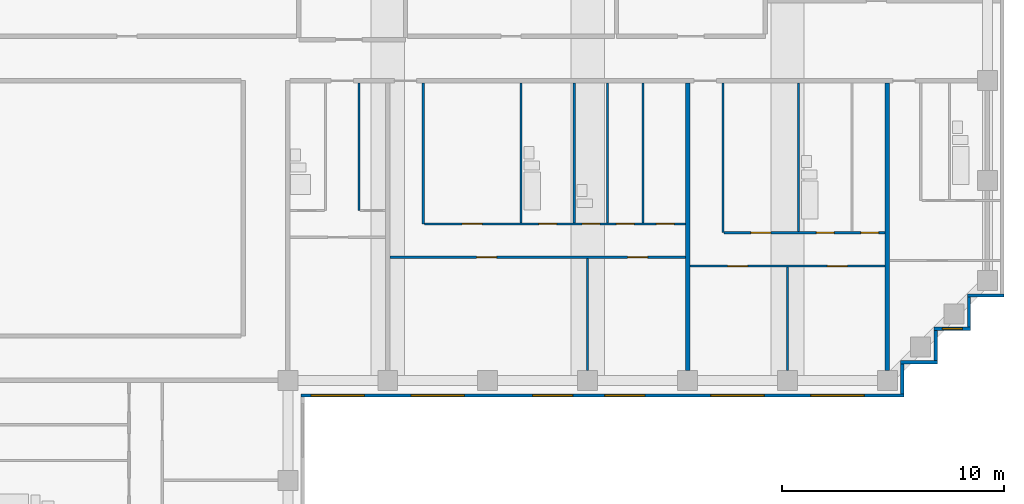
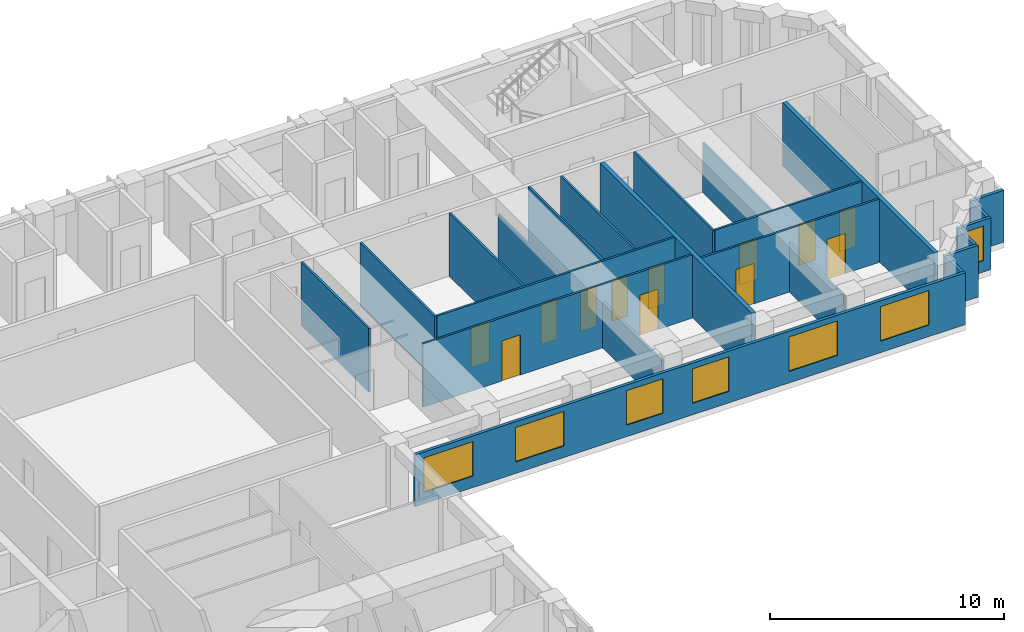
# One storey, part 4 of 9: 23 walls, 12 doors, 7 windows, 19 openings.
"""IFC4 building model written with IfcOpenShell, lengths in metres."""

from ifc_helpers import new_model, si_unit, direction, frame, frame_2d, origin, place, context, subcontext, project, spatial, rectangle, extrude, material, layer, layer_set, type_object, element, fill, save


model = new_model("IFC4")

# Units and contexts
model_context = context("Model", 3, precision=1e-05, world=origin(), true_north=direction((0.0, 1.0)))
body_context = subcontext(model_context, "Body", "Model", "MODEL_VIEW")
ifc_project = project(units=[si_unit("LENGTHUNIT", "METRE"), si_unit("AREAUNIT", "SQUARE_METRE"), si_unit("VOLUMEUNIT", "CUBIC_METRE"), si_unit("PLANEANGLEUNIT", "RADIAN"), si_unit("MASSUNIT", "GRAM", prefix="KILO")], contexts=[model_context])

# Site, building, storey
site_placement = place(None, origin())
site = spatial("IfcSite", under=ifc_project, at=site_placement, CompositionType="ELEMENT")
building_placement = place(site_placement, origin())
building = spatial("IfcBuilding", under=site, at=building_placement, Name="Firuza Court", CompositionType="ELEMENT")
storey_placement = place(building_placement, frame((0.0, 0.0, 215.0)))
storey = spatial("IfcBuildingStorey", under=building, at=storey_placement, Name="L55", CompositionType="ELEMENT", Elevation=215.0)

# Walls
ifc_material_1 = material(Name="Moisture-resistant gypsum board partition")
ifc_layer_1 = layer(ifc_material_1, 0.10009765625)
ifc_layer_set_1 = layer_set([ifc_layer_1], Name="Moisture-resistant gypsum board partition")
wall_type_1 = type_object("IfcWallType", Name="Bathroom partition 100", PredefinedType="PLUMBINGWALL", material=ifc_layer_set_1)
wall_1_placement = place(storey_placement, frame((45.5, 42.699951171875, 0.0), z_axis=(0.0, 0.0, 1.0), x_axis=(0.0, 1.0, 0.0)))
element("IfcWall", 1, at=wall_1_placement, inside=storey, type_object=wall_type_1, Name="Bathroom partition 100 L55", PredefinedType="PLUMBINGWALL", context=body_context, shape_type="SweptSolid", body=[
    extrude(rectangle(XDim=6.699951171875, YDim=0.10009765625, at=frame_2d((3.35009765625, 0.0))), origin(), (0.0, 0.0, 1.0), 2.60009765625),
])
wall_2_placement = place(storey_placement, frame((33.0, 43.10009765625, 0.0), z_axis=(0.0, 0.0, 1.0), x_axis=(0.0, 1.0, 0.0)))
element("IfcWall", 2, at=wall_2_placement, inside=storey, type_object=wall_type_1, Name="Bathroom partition 100 L55", PredefinedType="PLUMBINGWALL", context=body_context, shape_type="SweptSolid", body=[
    extrude(rectangle(XDim=6.2998046875, YDim=0.10009765625, at=frame_2d((3.14990234375, 0.0))), origin(), (0.0, 0.0, 1.0), 3.300048828125),
])
wall_3_placement = place(storey_placement, frame((35.39990234375, 43.10009765625, 0.0), z_axis=(0.0, 0.0, 1.0), x_axis=(0.0, 1.0, 0.0)))
element("IfcWall", 3, at=wall_3_placement, inside=storey, type_object=wall_type_1, Name="Bathroom partition 100 L55", PredefinedType="PLUMBINGWALL", context=body_context, shape_type="SweptSolid", body=[
    extrude(rectangle(XDim=6.2998046875, YDim=0.10009765625, at=frame_2d((3.14990234375, 0.0))), origin(), (0.0, 0.0, 1.0), 2.39990234375),
])
wall_4_placement = place(storey_placement, frame((36.89990234375, 43.10009765625, 0.0), z_axis=(0.0, 0.0, 1.0), x_axis=(0.0, 1.0, 0.0)))
element("IfcWall", 4, at=wall_4_placement, inside=storey, type_object=wall_type_1, Name="Bathroom partition 100 L55", PredefinedType="PLUMBINGWALL", context=body_context, shape_type="SweptSolid", body=[
    extrude(rectangle(XDim=6.2998046875, YDim=0.10009765625, at=frame_2d((3.14990234375, 0.0))), origin(), (0.0, 0.0, 1.0), 3.300048828125),
])
ifc_material_2 = material(Name="Timber stud partition, plasterboard both sides", Category="wood")
ifc_layer_2 = layer(ifc_material_2, 0.10009765625)
ifc_layer_set_2 = layer_set([ifc_layer_2], Name="Timber stud partition, plasterboard both sides")
wall_type_2 = type_object("IfcWallType", Name="Partition wall 100", PredefinedType="PARTITIONING", material=ifc_layer_set_2)
wall_5_placement = place(storey_placement, frame((36.0, 36.449951171875, 0.0), z_axis=(0.0, 0.0, 1.0), x_axis=(0.0, 1.0, 0.0)))
element("IfcWall", 5, at=wall_5_placement, inside=storey, type_object=wall_type_2, Name="Partition wall 100 L55", PredefinedType="PARTITIONING", context=body_context, shape_type="SweptSolid", body=[
    extrude(rectangle(XDim=5.050048828125, YDim=0.10009765625, at=frame_2d((2.52490234375, 0.0))), origin(), (0.0, 0.0, 1.0), 2.39990234375),
])
wall_6_placement = place(storey_placement, frame((45.0, 36.449951171875, 0.0), z_axis=(0.0, 0.0, 1.0), x_axis=(0.0, 1.0, 0.0)))
element("IfcWall", 6, at=wall_6_placement, inside=storey, type_object=wall_type_2, Name="Partition wall 100 L55", PredefinedType="PARTITIONING", context=body_context, shape_type="SweptSolid", body=[
    extrude(rectangle(XDim=4.650146484375, YDim=0.10009765625, at=frame_2d((2.3251953125, 0.0))), origin(), (0.0, 0.0, 1.0), 2.60009765625),
])

# Wall, openings, doors
wall_7_placement = place(storey_placement, frame((40.60009765625, 41.14990234375, 0.0), z_axis=(0.0, 0.0, 1.0), x_axis=(1.0, 0.0, 0.0)))
wall_7 = element("IfcWall", 7, at=wall_7_placement, inside=storey, type_object=wall_type_2, Name="Partition wall 100 L55", PredefinedType="PARTITIONING", context=body_context, shape_type="SweptSolid", body=[
    extrude(rectangle(XDim=8.7998046875, YDim=0.10009765625, at=frame_2d((4.39990234375, 0.0))), origin(), (0.0, 0.0, 1.0), 3.300048828125),
])
opening_1_placement = place(wall_7_placement, frame((1.699951171875, 0.0, 0.0)))
opening_1 = element("IfcOpeningElement", 8, at=opening_1_placement, cuts=wall_7, Name="Opening D55027", PredefinedType="OPENING", context=body_context, shape_type="SweptSolid", body=[
    extrude(rectangle(XDim=0.89990234375, YDim=2.10009765625, at=frame_2d((0.449951171875, 1.050048828125))), frame((0.0, 0.06201171875, 0.0), z_axis=(0.0, -1.0, 0.0), x_axis=(1.0, 0.0, 0.0)), (0.0, 0.0, 1.0), 0.1240234375),
])
opening_2_placement = place(wall_7_placement, frame((6.199951171875, 0.0, 0.0)))
opening_2 = element("IfcOpeningElement", 9, at=opening_2_placement, cuts=wall_7, Name="Opening D55028", PredefinedType="OPENING", context=body_context, shape_type="SweptSolid", body=[
    extrude(rectangle(XDim=0.89990234375, YDim=2.10009765625, at=frame_2d((0.449951171875, 1.050048828125))), frame((0.0, 0.06201171875, 0.0), z_axis=(0.0, -1.0, 0.0), x_axis=(1.0, 0.0, 0.0)), (0.0, 0.0, 1.0), 0.1240234375),
])
ifc_material_3 = material(Name="Timber door leaf in hardwood frame", Category="wood")
door_type_1 = type_object("IfcDoorType", Name="Room door 900", OperationType="SINGLE_SWING_LEFT", PredefinedType="DOOR", material=ifc_material_3)
door_1_placement = place(opening_1_placement, frame((0.89990234375, 0.0, 0.0), z_axis=(0.0, 0.0, 1.0), x_axis=(-1.0, 0.0, 0.0)))
door_1 = element("IfcDoor", 10, at=door_1_placement, inside=storey, type_object=door_type_1, Name="Living room door", OperationType="SINGLE_SWING_RIGHT", OverallHeight=2.10009765625, OverallWidth=0.89990234375, PredefinedType="DOOR", context=body_context, shape_type="SweptSolid", body=[
    extrude(rectangle(XDim=0.89990234375, YDim=2.10009765625, at=frame_2d((0.449951171875, 1.050048828125))), frame((0.0, 0.02490234375, 0.0), z_axis=(0.0, -1.0, 0.0), x_axis=(1.0, 0.0, 0.0)), (0.0, 0.0, 1.0), 0.050048828125),
])
fill(opening_1, door_1)
door_2_placement = place(opening_2_placement, frame((0.89990234375, 0.0, 0.0), z_axis=(0.0, 0.0, 1.0), x_axis=(-1.0, 0.0, 0.0)))
door_2 = element("IfcDoor", 11, at=door_2_placement, inside=storey, type_object=door_type_1, Name="Bedroom door", OperationType="SINGLE_SWING_RIGHT", OverallHeight=2.10009765625, OverallWidth=0.89990234375, PredefinedType="DOOR", context=body_context, shape_type="SweptSolid", body=[
    extrude(rectangle(XDim=0.89990234375, YDim=2.10009765625, at=frame_2d((0.449951171875, 1.050048828125))), frame((0.0, 0.02490234375, 0.0), z_axis=(0.0, -1.0, 0.0), x_axis=(1.0, 0.0, 0.0)), (0.0, 0.0, 1.0), 0.050048828125),
])
fill(opening_2, door_2)

wall_8_placement = place(storey_placement, frame((27.10009765625, 41.550048828125, 0.0), z_axis=(0.0, 0.0, 1.0), x_axis=(1.0, 0.0, 0.0)))
wall_8 = element("IfcWall", 12, at=wall_8_placement, inside=storey, type_object=wall_type_2, Name="Partition wall 100 L55", PredefinedType="PARTITIONING", context=body_context, shape_type="SweptSolid", body=[
    extrude(rectangle(XDim=13.2998046875, YDim=0.10009765625, at=frame_2d((6.64990234375, 0.0))), origin(), (0.0, 0.0, 1.0), 3.300048828125),
])
opening_3_placement = place(wall_8_placement, frame((3.89990234375, 0.0, 0.0)))
opening_3 = element("IfcOpeningElement", 13, at=opening_3_placement, cuts=wall_8, Name="Opening D55030", PredefinedType="OPENING", context=body_context, shape_type="SweptSolid", body=[
    extrude(rectangle(XDim=0.89990234375, YDim=2.10009765625, at=frame_2d((0.449951171875, 1.050048828125))), frame((0.0, 0.06201171875, 0.0), z_axis=(0.0, -1.0, 0.0), x_axis=(1.0, 0.0, 0.0)), (0.0, 0.0, 1.0), 0.1240234375),
])
opening_4_placement = place(wall_8_placement, frame((10.699951171875, 0.0, 0.0)))
opening_4 = element("IfcOpeningElement", 14, at=opening_4_placement, cuts=wall_8, Name="Opening D55031", PredefinedType="OPENING", context=body_context, shape_type="SweptSolid", body=[
    extrude(rectangle(XDim=0.89990234375, YDim=2.10009765625, at=frame_2d((0.449951171875, 1.050048828125))), frame((0.0, 0.06201171875, 0.0), z_axis=(0.0, -1.0, 0.0), x_axis=(1.0, 0.0, 0.0)), (0.0, 0.0, 1.0), 0.1240234375),
])
door_3_placement = place(opening_3_placement, frame((0.89990234375, 0.0, 0.0), z_axis=(0.0, 0.0, 1.0), x_axis=(-1.0, 0.0, 0.0)))
door_3 = element("IfcDoor", 15, at=door_3_placement, inside=storey, type_object=door_type_1, Name="Living room door", OperationType="SINGLE_SWING_RIGHT", OverallHeight=2.10009765625, OverallWidth=0.89990234375, PredefinedType="DOOR", context=body_context, shape_type="SweptSolid", body=[
    extrude(rectangle(XDim=0.89990234375, YDim=2.10009765625, at=frame_2d((0.449951171875, 1.050048828125))), frame((0.0, 0.02490234375, 0.0), z_axis=(0.0, -1.0, 0.0), x_axis=(1.0, 0.0, 0.0)), (0.0, 0.0, 1.0), 0.050048828125),
])
fill(opening_3, door_3)
door_4_placement = place(opening_4_placement, frame((0.89990234375, 0.0, 0.0), z_axis=(0.0, 0.0, 1.0), x_axis=(-1.0, 0.0, 0.0)))
door_4 = element("IfcDoor", 16, at=door_4_placement, inside=storey, type_object=door_type_1, Name="Bedroom door", OperationType="SINGLE_SWING_RIGHT", OverallHeight=2.10009765625, OverallWidth=0.89990234375, PredefinedType="DOOR", context=body_context, shape_type="SweptSolid", body=[
    extrude(rectangle(XDim=0.89990234375, YDim=2.10009765625, at=frame_2d((0.449951171875, 1.050048828125))), frame((0.0, 0.02490234375, 0.0), z_axis=(0.0, -1.0, 0.0), x_axis=(1.0, 0.0, 0.0)), (0.0, 0.0, 1.0), 0.050048828125),
])
fill(opening_4, door_4)

# Wall
wall_9_placement = place(storey_placement, frame((42.10009765625, 42.64990234375, 0.0), z_axis=(0.0, 0.0, 1.0), x_axis=(0.0, 1.0, 0.0)))
element("IfcWall", 17, at=wall_9_placement, inside=storey, type_object=wall_type_2, Name="Partition wall 100 L55", PredefinedType="PARTITIONING", context=body_context, shape_type="SweptSolid", body=[
    extrude(rectangle(XDim=6.75, YDim=0.10009765625, at=frame_2d((3.375, 0.0))), origin(), (0.0, 0.0, 1.0), 3.300048828125),
])

# Wall, openings, doors
wall_10_placement = place(storey_placement, frame((42.14990234375, 42.64990234375, 0.0), z_axis=(0.0, 0.0, 1.0), x_axis=(1.0, 0.0, 0.0)))
wall_10 = element("IfcWall", 18, at=wall_10_placement, inside=storey, type_object=wall_type_2, Name="Partition wall 100 L55", PredefinedType="PARTITIONING", context=body_context, shape_type="SweptSolid", body=[
    extrude(rectangle(XDim=7.25, YDim=0.10009765625, at=frame_2d((3.625, 0.0))), origin(), (0.0, 0.0, 1.0), 3.300048828125),
])
opening_5_placement = place(wall_10_placement, frame((4.14990234375, 0.0, 0.0)))
opening_5 = element("IfcOpeningElement", 19, at=opening_5_placement, cuts=wall_10, Name="Opening D55033", PredefinedType="OPENING", context=body_context, shape_type="SweptSolid", body=[
    extrude(rectangle(XDim=0.800048828125, YDim=2.10009765625, at=frame_2d((0.39990234375, 1.050048828125))), frame((0.0, 0.06201171875, 0.0), z_axis=(0.0, -1.0, 0.0), x_axis=(1.0, 0.0, 0.0)), (0.0, 0.0, 1.0), 0.1240234375),
])
opening_6_placement = place(wall_10_placement, frame((1.199951171875, 0.0, 0.0)))
opening_6 = element("IfcOpeningElement", 20, at=opening_6_placement, cuts=wall_10, Name="Opening D55034", PredefinedType="OPENING", context=body_context, shape_type="SweptSolid", body=[
    extrude(rectangle(XDim=0.89990234375, YDim=2.10009765625, at=frame_2d((0.449951171875, 1.050048828125))), frame((0.0, 0.06201171875, 0.0), z_axis=(0.0, -1.0, 0.0), x_axis=(1.0, 0.0, 0.0)), (0.0, 0.0, 1.0), 0.1240234375),
])
opening_7_placement = place(wall_10_placement, frame((6.14990234375, 0.0, 0.0)))
opening_7 = element("IfcOpeningElement", 21, at=opening_7_placement, cuts=wall_10, Name="Opening D55035", PredefinedType="OPENING", context=body_context, shape_type="SweptSolid", body=[
    extrude(rectangle(XDim=0.800048828125, YDim=2.10009765625, at=frame_2d((0.39990234375, 1.050048828125))), frame((0.0, 0.06201171875, 0.0), z_axis=(0.0, -1.0, 0.0), x_axis=(1.0, 0.0, 0.0)), (0.0, 0.0, 1.0), 0.1240234375),
])
ifc_material_4 = material(Name="Timber door leaf in hardwood frame", Category="wood")
door_type_2 = type_object("IfcDoorType", Name="Bathroom door 800", OperationType="SINGLE_SWING_LEFT", PredefinedType="DOOR", material=ifc_material_4)
door_5_placement = place(opening_5_placement, origin())
door_5 = element("IfcDoor", 22, at=door_5_placement, inside=storey, type_object=door_type_2, Name="Bathroom door", OperationType="SINGLE_SWING_LEFT", OverallHeight=2.10009765625, OverallWidth=0.800048828125, PredefinedType="DOOR", context=body_context, shape_type="SweptSolid", body=[
    extrude(rectangle(XDim=0.800048828125, YDim=2.10009765625, at=frame_2d((0.39990234375, 1.050048828125))), frame((0.0, 0.02490234375, 0.0), z_axis=(0.0, -1.0, 0.0), x_axis=(1.0, 0.0, 0.0)), (0.0, 0.0, 1.0), 0.050048828125),
])
fill(opening_5, door_5)
ifc_material_5 = material(Name="Timber door leaf in hardwood frame", Category="wood")
door_type_3 = type_object("IfcDoorType", Name="Room door 800", OperationType="SINGLE_SWING_LEFT", PredefinedType="DOOR", material=ifc_material_5)
door_6_placement = place(opening_7_placement, origin())
door_6 = element("IfcDoor", 23, at=door_6_placement, inside=storey, type_object=door_type_3, Name="Store door", OperationType="SINGLE_SWING_LEFT", OverallHeight=2.10009765625, OverallWidth=0.800048828125, PredefinedType="DOOR", context=body_context, shape_type="SweptSolid", body=[
    extrude(rectangle(XDim=0.800048828125, YDim=2.10009765625, at=frame_2d((0.39990234375, 1.050048828125))), frame((0.0, 0.02490234375, 0.0), z_axis=(0.0, -1.0, 0.0), x_axis=(1.0, 0.0, 0.0)), (0.0, 0.0, 1.0), 0.050048828125),
])
fill(opening_7, door_6)
door_7_placement = place(opening_6_placement, origin())
door_7 = element("IfcDoor", 24, at=door_7_placement, inside=storey, type_object=door_type_1, Name="Kitchen door", OperationType="SINGLE_SWING_LEFT", OverallHeight=2.10009765625, OverallWidth=0.89990234375, PredefinedType="DOOR", context=body_context, shape_type="SweptSolid", body=[
    extrude(rectangle(XDim=0.89990234375, YDim=2.10009765625, at=frame_2d((0.449951171875, 1.050048828125))), frame((0.0, 0.02490234375, 0.0), z_axis=(0.0, -1.0, 0.0), x_axis=(1.0, 0.0, 0.0)), (0.0, 0.0, 1.0), 0.050048828125),
])
fill(opening_6, door_7)

# Wall
wall_11_placement = place(storey_placement, frame((28.60009765625, 43.050048828125, 0.0), z_axis=(0.0, 0.0, 1.0), x_axis=(0.0, 1.0, 0.0)))
element("IfcWall", 25, at=wall_11_placement, inside=storey, type_object=wall_type_2, Name="Partition wall 100 L55", PredefinedType="PARTITIONING", context=body_context, shape_type="SweptSolid", body=[
    extrude(rectangle(XDim=6.349853515625, YDim=0.10009765625, at=frame_2d((3.1748046875, 0.0))), origin(), (0.0, 0.0, 1.0), 3.300048828125),
])

# Wall, openings, doors
wall_12_placement = place(storey_placement, frame((28.64990234375, 43.050048828125, 0.0), z_axis=(0.0, 0.0, 1.0), x_axis=(1.0, 0.0, 0.0)))
wall_12 = element("IfcWall", 26, at=wall_12_placement, inside=storey, type_object=wall_type_2, Name="Partition wall 100 L55", PredefinedType="PARTITIONING", context=body_context, shape_type="SweptSolid", body=[
    extrude(rectangle(XDim=11.75, YDim=0.10009765625, at=frame_2d((5.875, 0.0))), origin(), (0.0, 0.0, 1.0), 3.300048828125),
])
opening_8_placement = place(wall_12_placement, frame((5.14990234375, 0.0, 0.0)))
opening_8 = element("IfcOpeningElement", 27, at=opening_8_placement, cuts=wall_12, Name="Opening D55036", PredefinedType="OPENING", context=body_context, shape_type="SweptSolid", body=[
    extrude(rectangle(XDim=0.800048828125, YDim=2.10009765625, at=frame_2d((0.39990234375, 1.050048828125))), frame((0.0, 0.06201171875, 0.0), z_axis=(0.0, -1.0, 0.0), x_axis=(1.0, 0.0, 0.0)), (0.0, 0.0, 1.0), 0.1240234375),
])
opening_9_placement = place(wall_12_placement, frame((1.699951171875, 0.0, 0.0)))
opening_9 = element("IfcOpeningElement", 28, at=opening_9_placement, cuts=wall_12, Name="Opening D55037", PredefinedType="OPENING", context=body_context, shape_type="SweptSolid", body=[
    extrude(rectangle(XDim=0.89990234375, YDim=2.10009765625, at=frame_2d((0.449951171875, 1.050048828125))), frame((0.0, 0.06201171875, 0.0), z_axis=(0.0, -1.0, 0.0), x_axis=(1.0, 0.0, 0.0)), (0.0, 0.0, 1.0), 0.1240234375),
])
opening_10_placement = place(wall_12_placement, frame((8.64990234375, 0.0, 0.0)))
opening_10 = element("IfcOpeningElement", 29, at=opening_10_placement, cuts=wall_12, Name="Opening D55038", PredefinedType="OPENING", context=body_context, shape_type="SweptSolid", body=[
    extrude(rectangle(XDim=0.800048828125, YDim=2.10009765625, at=frame_2d((0.39990234375, 1.050048828125))), frame((0.0, 0.06201171875, 0.0), z_axis=(0.0, -1.0, 0.0), x_axis=(1.0, 0.0, 0.0)), (0.0, 0.0, 1.0), 0.1240234375),
])
opening_11_placement = place(wall_12_placement, frame((10.449951171875, 0.0, 0.0)))
opening_11 = element("IfcOpeningElement", 30, at=opening_11_placement, cuts=wall_12, Name="Opening D55039", PredefinedType="OPENING", context=body_context, shape_type="SweptSolid", body=[
    extrude(rectangle(XDim=0.800048828125, YDim=2.10009765625, at=frame_2d((0.39990234375, 1.050048828125))), frame((0.0, 0.06201171875, 0.0), z_axis=(0.0, -1.0, 0.0), x_axis=(1.0, 0.0, 0.0)), (0.0, 0.0, 1.0), 0.1240234375),
])
opening_12_placement = place(wall_12_placement, frame((7.10009765625, 0.0, 0.0)))
opening_12 = element("IfcOpeningElement", 31, at=opening_12_placement, cuts=wall_12, Name="Opening D55040", PredefinedType="OPENING", context=body_context, shape_type="SweptSolid", body=[
    extrude(rectangle(XDim=0.800048828125, YDim=2.10009765625, at=frame_2d((0.39990234375, 1.050048828125))), frame((0.0, 0.06201171875, 0.0), z_axis=(0.0, -1.0, 0.0), x_axis=(1.0, 0.0, 0.0)), (0.0, 0.0, 1.0), 0.1240234375),
])
door_8_placement = place(opening_8_placement, origin())
door_8 = element("IfcDoor", 32, at=door_8_placement, inside=storey, type_object=door_type_2, Name="Bathroom door", OperationType="SINGLE_SWING_LEFT", OverallHeight=2.10009765625, OverallWidth=0.800048828125, PredefinedType="DOOR", context=body_context, shape_type="SweptSolid", body=[
    extrude(rectangle(XDim=0.800048828125, YDim=2.10009765625, at=frame_2d((0.39990234375, 1.050048828125))), frame((0.0, 0.02490234375, 0.0), z_axis=(0.0, -1.0, 0.0), x_axis=(1.0, 0.0, 0.0)), (0.0, 0.0, 1.0), 0.050048828125),
])
fill(opening_8, door_8)
door_9_placement = place(opening_12_placement, origin())
door_9 = element("IfcDoor", 33, at=door_9_placement, inside=storey, type_object=door_type_2, Name="Powder room door", OperationType="SINGLE_SWING_LEFT", OverallHeight=2.10009765625, OverallWidth=0.800048828125, PredefinedType="DOOR", context=body_context, shape_type="SweptSolid", body=[
    extrude(rectangle(XDim=0.800048828125, YDim=2.10009765625, at=frame_2d((0.39990234375, 1.050048828125))), frame((0.0, 0.02490234375, 0.0), z_axis=(0.0, -1.0, 0.0), x_axis=(1.0, 0.0, 0.0)), (0.0, 0.0, 1.0), 0.050048828125),
])
fill(opening_12, door_9)
door_10_placement = place(opening_10_placement, origin())
door_10 = element("IfcDoor", 34, at=door_10_placement, inside=storey, type_object=door_type_3, Name="Store door", OperationType="SINGLE_SWING_LEFT", OverallHeight=2.10009765625, OverallWidth=0.800048828125, PredefinedType="DOOR", context=body_context, shape_type="SweptSolid", body=[
    extrude(rectangle(XDim=0.800048828125, YDim=2.10009765625, at=frame_2d((0.39990234375, 1.050048828125))), frame((0.0, 0.02490234375, 0.0), z_axis=(0.0, -1.0, 0.0), x_axis=(1.0, 0.0, 0.0)), (0.0, 0.0, 1.0), 0.050048828125),
])
fill(opening_10, door_10)
door_11_placement = place(opening_11_placement, origin())
door_11 = element("IfcDoor", 35, at=door_11_placement, inside=storey, type_object=door_type_3, Name="Utility room door", OperationType="SINGLE_SWING_LEFT", OverallHeight=2.10009765625, OverallWidth=0.800048828125, PredefinedType="DOOR", context=body_context, shape_type="SweptSolid", body=[
    extrude(rectangle(XDim=0.800048828125, YDim=2.10009765625, at=frame_2d((0.39990234375, 1.050048828125))), frame((0.0, 0.02490234375, 0.0), z_axis=(0.0, -1.0, 0.0), x_axis=(1.0, 0.0, 0.0)), (0.0, 0.0, 1.0), 0.050048828125),
])
fill(opening_11, door_11)
door_12_placement = place(opening_9_placement, origin())
door_12 = element("IfcDoor", 36, at=door_12_placement, inside=storey, type_object=door_type_1, Name="Kitchen door", OperationType="SINGLE_SWING_LEFT", OverallHeight=2.10009765625, OverallWidth=0.89990234375, PredefinedType="DOOR", context=body_context, shape_type="SweptSolid", body=[
    extrude(rectangle(XDim=0.89990234375, YDim=2.10009765625, at=frame_2d((0.449951171875, 1.050048828125))), frame((0.0, 0.02490234375, 0.0), z_axis=(0.0, -1.0, 0.0), x_axis=(1.0, 0.0, 0.0)), (0.0, 0.0, 1.0), 0.050048828125),
])
fill(opening_9, door_12)

# Walls
wall_13_placement = place(storey_placement, frame((38.5, 43.10009765625, 0.0), z_axis=(0.0, 0.0, 1.0), x_axis=(0.0, 1.0, 0.0)))
element("IfcWall", 37, at=wall_13_placement, inside=storey, type_object=wall_type_2, Name="Partition wall 100 L55", PredefinedType="PARTITIONING", context=body_context, shape_type="SweptSolid", body=[
    extrude(rectangle(XDim=6.2998046875, YDim=0.10009765625, at=frame_2d((3.14990234375, 0.0))), origin(), (0.0, 0.0, 1.0), 3.300048828125),
])
wall_14_placement = place(storey_placement, frame((25.699951171875, 43.64990234375, 0.0), z_axis=(0.0, 0.0, 1.0), x_axis=(0.0, 1.0, 0.0)))
element("IfcWall", 38, at=wall_14_placement, inside=storey, type_object=wall_type_2, Name="Partition wall 100 L55", PredefinedType="PARTITIONING", context=body_context, shape_type="SweptSolid", body=[
    extrude(rectangle(XDim=5.75, YDim=0.10009765625, at=frame_2d((2.875, 0.0))), origin(), (0.0, 0.0, 1.0), 3.300048828125),
])
ifc_material_6 = material(Name="Blockwork, plastered both sides", Category="masonry")
ifc_layer_3 = layer(ifc_material_6, 0.199951171875)
ifc_layer_set_3 = layer_set([ifc_layer_3], Name="Blockwork, plastered both sides")
wall_type_3 = type_object("IfcWallType", Name="Party wall 200", PredefinedType="PARTITIONING", material=ifc_layer_set_3)
for number, where, z_axis, x_axis, name in (
    (39, (40.5, 36.449951171875, 0.0), (0.0, 0.0, 1.0), (0.0, 1.0, 0.0), "Party wall 200 L55"),
    (40, (49.5, 36.449951171875, 0.0), (0.0, 0.0, 1.0), (0.0, 1.0, 0.0), "Party wall 200 L55"),
):
    element("IfcWall", number, at=place(storey_placement, frame(where, z_axis=z_axis, x_axis=x_axis)), inside=storey, type_object=wall_type_3, Name=name, PredefinedType="PARTITIONING", context=body_context, shape_type="SweptSolid", body=[
        extrude(rectangle(XDim=12.949951171875, YDim=0.199951171875, at=frame_2d((6.47509765625, 0.0))), origin(), (0.0, 0.0, 1.0), 3.300048828125),
    ])

# Wall, openings, windows
ifc_material_7 = material(Name="Ceramic tile", Category="ceramic")
ifc_layer_4 = layer(ifc_material_7, 0.02001953125)
ifc_material_8 = material(Name="Mineral wool insulation", Category="insulation")
ifc_layer_5 = layer(ifc_material_8, 0.050048828125)
ifc_material_9 = material(Name="Concrete C40/50 precast", Category="concrete")
ifc_layer_6 = layer(ifc_material_9, 0.080078125)
ifc_layer_set_4 = layer_set([ifc_layer_4, ifc_layer_5, ifc_layer_6], Name="Concrete C40/50 precast")
wall_type_4 = type_object("IfcWallType", Name="Precast cladding wall with turquoise TILE PANEL face 150", PredefinedType="STANDARD", material=ifc_layer_set_4)
wall_15_placement = place(storey_placement, frame((23.10009765625, 35.324951171875, 0.0), z_axis=(0.0, 0.0, 1.0), x_axis=(1.0, 0.0, 0.0)))
wall_15 = element("IfcWall", 41, at=wall_15_placement, inside=storey, type_object=wall_type_4, Name="Facade wall L55 S", PredefinedType="STANDARD", context=body_context, shape_type="SweptSolid", body=[
    extrude(rectangle(XDim=27.14990234375, YDim=0.14990234375, at=frame_2d((13.574951171875, 0.0))), origin(), (0.0, 0.0, 1.0), 2.699951171875),
])
opening_13_placement = place(wall_15_placement, frame((0.449951171875, 0.0, 0.60009765625)))
opening_13 = element("IfcOpeningElement", 42, at=opening_13_placement, cuts=wall_15, Name="Opening W1", PredefinedType="OPENING", context=body_context, shape_type="SweptSolid", body=[
    extrude(rectangle(XDim=2.39990234375, YDim=1.800048828125, at=frame_2d((1.199951171875, 0.89990234375))), frame((0.0, 0.0869140625, 0.0), z_axis=(0.0, -1.0, 0.0), x_axis=(1.0, 0.0, 0.0)), (0.0, 0.0, 1.0), 0.173828125),
])
opening_14_placement = place(wall_15_placement, frame((4.949951171875, 0.0, 0.60009765625)))
opening_14 = element("IfcOpeningElement", 43, at=opening_14_placement, cuts=wall_15, Name="Opening W1", PredefinedType="OPENING", context=body_context, shape_type="SweptSolid", body=[
    extrude(rectangle(XDim=2.39990234375, YDim=1.800048828125, at=frame_2d((1.199951171875, 0.89990234375))), frame((0.0, 0.0869140625, 0.0), z_axis=(0.0, -1.0, 0.0), x_axis=(1.0, 0.0, 0.0)), (0.0, 0.0, 1.0), 0.173828125),
])
opening_15_placement = place(wall_15_placement, frame((10.424072265625, 0.0, 0.60009765625)))
opening_15 = element("IfcOpeningElement", 44, at=opening_15_placement, cuts=wall_15, Name="Opening W7", PredefinedType="OPENING", context=body_context, shape_type="SweptSolid", body=[
    extrude(rectangle(XDim=1.800048828125, YDim=1.800048828125, at=frame_2d((0.89990234375, 0.89990234375))), frame((0.0, 0.0869140625, 0.0), z_axis=(0.0, -1.0, 0.0), x_axis=(1.0, 0.0, 0.0)), (0.0, 0.0, 1.0), 0.173828125),
])
opening_16_placement = place(wall_15_placement, frame((13.68017578125, 0.0, 0.60009765625)))
opening_16 = element("IfcOpeningElement", 45, at=opening_16_placement, cuts=wall_15, Name="Opening W7", PredefinedType="OPENING", context=body_context, shape_type="SweptSolid", body=[
    extrude(rectangle(XDim=1.800048828125, YDim=1.800048828125, at=frame_2d((0.89990234375, 0.89990234375))), frame((0.0, 0.0869140625, 0.0), z_axis=(0.0, -1.0, 0.0), x_axis=(1.0, 0.0, 0.0)), (0.0, 0.0, 1.0), 0.173828125),
])
opening_17_placement = place(wall_15_placement, frame((18.449951171875, 0.0, 0.60009765625)))
opening_17 = element("IfcOpeningElement", 46, at=opening_17_placement, cuts=wall_15, Name="Opening W1", PredefinedType="OPENING", context=body_context, shape_type="SweptSolid", body=[
    extrude(rectangle(XDim=2.39990234375, YDim=1.800048828125, at=frame_2d((1.199951171875, 0.89990234375))), frame((0.0, 0.0869140625, 0.0), z_axis=(0.0, -1.0, 0.0), x_axis=(1.0, 0.0, 0.0)), (0.0, 0.0, 1.0), 0.173828125),
])
opening_18_placement = place(wall_15_placement, frame((22.949951171875, 0.0, 0.60009765625)))
opening_18 = element("IfcOpeningElement", 47, at=opening_18_placement, cuts=wall_15, Name="Opening W1", PredefinedType="OPENING", context=body_context, shape_type="SweptSolid", body=[
    extrude(rectangle(XDim=2.39990234375, YDim=1.800048828125, at=frame_2d((1.199951171875, 0.89990234375))), frame((0.0, 0.0869140625, 0.0), z_axis=(0.0, -1.0, 0.0), x_axis=(1.0, 0.0, 0.0)), (0.0, 0.0, 1.0), 0.173828125),
])
ifc_material_10 = material(Name="Aluminium frame, triple clear glazing", Category="aluminium")
window_type_1 = type_object("IfcWindowType", Name="Window W1 2400 x 1800", PartitioningType="SINGLE_PANEL", PredefinedType="WINDOW", material=ifc_material_10)
window_1_placement = place(opening_13_placement, origin())
window_1 = element("IfcWindow", 48, at=window_1_placement, inside=storey, type_object=window_type_1, Name="Window L55", OverallHeight=1.800048828125, OverallWidth=2.39990234375, PartitioningType="SINGLE_PANEL", PredefinedType="WINDOW", context=body_context, shape_type="SweptSolid", body=[
    extrude(rectangle(XDim=2.39990234375, YDim=1.800048828125, at=frame_2d((1.199951171875, 0.89990234375))), frame((0.0, 0.030029296875, 0.0), z_axis=(0.0, -1.0, 0.0), x_axis=(1.0, 0.0, 0.0)), (0.0, 0.0, 1.0), 0.06005859375),
])
fill(opening_13, window_1)
window_2_placement = place(opening_14_placement, origin())
window_2 = element("IfcWindow", 49, at=window_2_placement, inside=storey, type_object=window_type_1, Name="Window L55", OverallHeight=1.800048828125, OverallWidth=2.39990234375, PartitioningType="SINGLE_PANEL", PredefinedType="WINDOW", context=body_context, shape_type="SweptSolid", body=[
    extrude(rectangle(XDim=2.39990234375, YDim=1.800048828125, at=frame_2d((1.199951171875, 0.89990234375))), frame((0.0, 0.030029296875, 0.0), z_axis=(0.0, -1.0, 0.0), x_axis=(1.0, 0.0, 0.0)), (0.0, 0.0, 1.0), 0.06005859375),
])
fill(opening_14, window_2)
window_3_placement = place(opening_17_placement, origin())
window_3 = element("IfcWindow", 50, at=window_3_placement, inside=storey, type_object=window_type_1, Name="Window L55", OverallHeight=1.800048828125, OverallWidth=2.39990234375, PartitioningType="SINGLE_PANEL", PredefinedType="WINDOW", context=body_context, shape_type="SweptSolid", body=[
    extrude(rectangle(XDim=2.39990234375, YDim=1.800048828125, at=frame_2d((1.199951171875, 0.89990234375))), frame((0.0, 0.030029296875, 0.0), z_axis=(0.0, -1.0, 0.0), x_axis=(1.0, 0.0, 0.0)), (0.0, 0.0, 1.0), 0.06005859375),
])
fill(opening_17, window_3)
window_4_placement = place(opening_18_placement, origin())
window_4 = element("IfcWindow", 51, at=window_4_placement, inside=storey, type_object=window_type_1, Name="Window L55", OverallHeight=1.800048828125, OverallWidth=2.39990234375, PartitioningType="SINGLE_PANEL", PredefinedType="WINDOW", context=body_context, shape_type="SweptSolid", body=[
    extrude(rectangle(XDim=2.39990234375, YDim=1.800048828125, at=frame_2d((1.199951171875, 0.89990234375))), frame((0.0, 0.030029296875, 0.0), z_axis=(0.0, -1.0, 0.0), x_axis=(1.0, 0.0, 0.0)), (0.0, 0.0, 1.0), 0.06005859375),
])
fill(opening_18, window_4)
ifc_material_11 = material(Name="Aluminium frame, triple clear glazing", Category="aluminium")
window_type_2 = type_object("IfcWindowType", Name="Window W7 1800 x 1800", PartitioningType="SINGLE_PANEL", PredefinedType="WINDOW", material=ifc_material_11)
window_5_placement = place(opening_15_placement, origin())
window_5 = element("IfcWindow", 52, at=window_5_placement, inside=storey, type_object=window_type_2, Name="Window L55", OverallHeight=1.800048828125, OverallWidth=1.800048828125, PartitioningType="SINGLE_PANEL", PredefinedType="WINDOW", context=body_context, shape_type="SweptSolid", body=[
    extrude(rectangle(XDim=1.800048828125, YDim=1.800048828125, at=frame_2d((0.89990234375, 0.89990234375))), frame((0.0, 0.030029296875, 0.0), z_axis=(0.0, -1.0, 0.0), x_axis=(1.0, 0.0, 0.0)), (0.0, 0.0, 1.0), 0.06005859375),
])
fill(opening_15, window_5)
window_6_placement = place(opening_16_placement, origin())
window_6 = element("IfcWindow", 53, at=window_6_placement, inside=storey, type_object=window_type_2, Name="Window L55", OverallHeight=1.800048828125, OverallWidth=1.800048828125, PartitioningType="SINGLE_PANEL", PredefinedType="WINDOW", context=body_context, shape_type="SweptSolid", body=[
    extrude(rectangle(XDim=1.800048828125, YDim=1.800048828125, at=frame_2d((0.89990234375, 0.89990234375))), frame((0.0, 0.030029296875, 0.0), z_axis=(0.0, -1.0, 0.0), x_axis=(1.0, 0.0, 0.0)), (0.0, 0.0, 1.0), 0.06005859375),
])
fill(opening_16, window_6)

# Walls
wall_16_placement = place(storey_placement, frame((50.175048828125, 35.39990234375, 0.0), z_axis=(0.0, 0.0, 1.0), x_axis=(0.0, 1.0, 0.0)))
element("IfcWall", 54, at=wall_16_placement, inside=storey, type_object=wall_type_4, Name="Facade wall L55 E", PredefinedType="STANDARD", context=body_context, shape_type="SweptSolid", body=[
    extrude(rectangle(XDim=1.35009765625, YDim=0.14990234375, at=frame_2d((0.675048828125, 0.0))), origin(), (0.0, 0.0, 1.0), 2.699951171875),
])
wall_17_placement = place(storey_placement, frame((50.10009765625, 36.824951171875, 0.0), z_axis=(0.0, 0.0, 1.0), x_axis=(1.0, 0.0, 0.0)))
element("IfcWall", 55, at=wall_17_placement, inside=storey, type_object=wall_type_4, Name="Facade wall L55 S", PredefinedType="STANDARD", context=body_context, shape_type="SweptSolid", body=[
    extrude(rectangle(XDim=1.64990234375, YDim=0.14990234375, at=frame_2d((0.824951171875, 0.0))), origin(), (0.0, 0.0, 1.0), 2.699951171875),
])
wall_18_placement = place(storey_placement, frame((51.675048828125, 36.89990234375, 0.0), z_axis=(0.0, 0.0, 1.0), x_axis=(0.0, 1.0, 0.0)))
element("IfcWall", 56, at=wall_18_placement, inside=storey, type_object=wall_type_4, Name="Facade wall L55 E", PredefinedType="STANDARD", context=body_context, shape_type="SweptSolid", body=[
    extrude(rectangle(XDim=1.35009765625, YDim=0.14990234375, at=frame_2d((0.675048828125, 0.0))), origin(), (0.0, 0.0, 1.0), 2.699951171875),
])

# Wall, opening, window
wall_19_placement = place(storey_placement, frame((51.60009765625, 38.324951171875, 0.0), z_axis=(0.0, 0.0, 1.0), x_axis=(1.0, 0.0, 0.0)))
wall_19 = element("IfcWall", 57, at=wall_19_placement, inside=storey, type_object=wall_type_4, Name="Facade wall L55 S", PredefinedType="STANDARD", context=body_context, shape_type="SweptSolid", body=[
    extrude(rectangle(XDim=1.64990234375, YDim=0.14990234375, at=frame_2d((0.824951171875, 0.0))), origin(), (0.0, 0.0, 1.0), 2.699951171875),
])
opening_19_placement = place(wall_19_placement, frame((0.375, 0.0, 0.60009765625)))
opening_19 = element("IfcOpeningElement", 58, at=opening_19_placement, cuts=wall_19, Name="Opening W3", PredefinedType="OPENING", context=body_context, shape_type="SweptSolid", body=[
    extrude(rectangle(XDim=0.89990234375, YDim=1.800048828125, at=frame_2d((0.449951171875, 0.89990234375))), frame((0.0, 0.0869140625, 0.0), z_axis=(0.0, -1.0, 0.0), x_axis=(1.0, 0.0, 0.0)), (0.0, 0.0, 1.0), 0.173828125),
])
ifc_material_12 = material(Name="Aluminium frame, triple clear glazing", Category="aluminium")
window_type_3 = type_object("IfcWindowType", Name="Window W3 900 x 1800", PartitioningType="SINGLE_PANEL", PredefinedType="WINDOW", material=ifc_material_12)
window_7_placement = place(opening_19_placement, origin())
window_7 = element("IfcWindow", 59, at=window_7_placement, inside=storey, type_object=window_type_3, Name="Window L55", OverallHeight=1.800048828125, OverallWidth=0.89990234375, PartitioningType="SINGLE_PANEL", PredefinedType="WINDOW", context=body_context, shape_type="SweptSolid", body=[
    extrude(rectangle(XDim=0.89990234375, YDim=1.800048828125, at=frame_2d((0.449951171875, 0.89990234375))), frame((0.0, 0.030029296875, 0.0), z_axis=(0.0, -1.0, 0.0), x_axis=(1.0, 0.0, 0.0)), (0.0, 0.0, 1.0), 0.06005859375),
])
fill(opening_19, window_7)

# Walls
wall_20_placement = place(storey_placement, frame((53.175048828125, 38.39990234375, 0.0), z_axis=(0.0, 0.0, 1.0), x_axis=(0.0, 1.0, 0.0)))
element("IfcWall", 60, at=wall_20_placement, inside=storey, type_object=wall_type_4, Name="Facade wall L55 E", PredefinedType="STANDARD", context=body_context, shape_type="SweptSolid", body=[
    extrude(rectangle(XDim=1.35009765625, YDim=0.14990234375, at=frame_2d((0.675048828125, 0.0))), origin(), (0.0, 0.0, 1.0), 2.699951171875),
])
wall_21_placement = place(storey_placement, frame((53.10009765625, 39.824951171875, 0.0), z_axis=(0.0, 0.0, 1.0), x_axis=(1.0, 0.0, 0.0)))
element("IfcWall", 61, at=wall_21_placement, inside=storey, type_object=wall_type_4, Name="Facade wall L55 S", PredefinedType="STANDARD", context=body_context, shape_type="SweptSolid", body=[
    extrude(rectangle(XDim=1.64990234375, YDim=0.14990234375, at=frame_2d((0.824951171875, 0.0))), origin(), (0.0, 0.0, 1.0), 2.699951171875),
])

save(model, "model.ifc")
